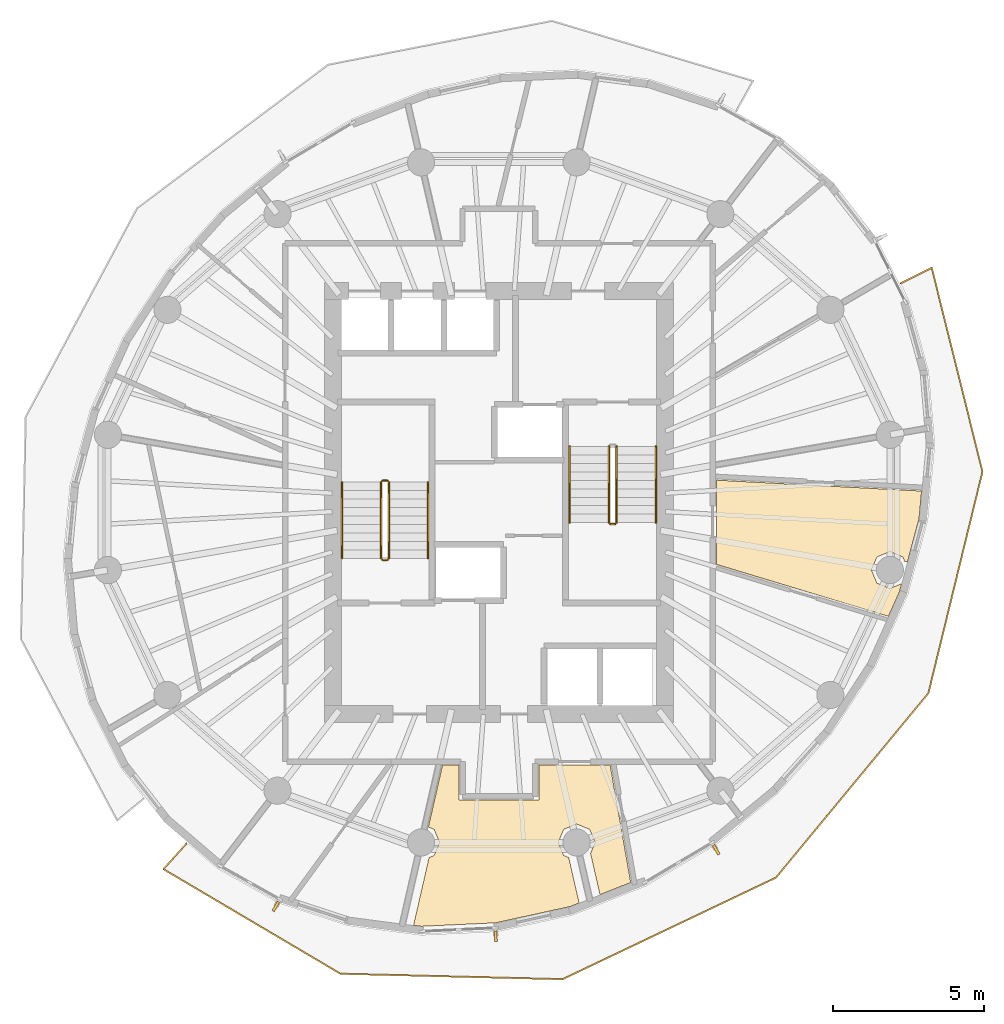
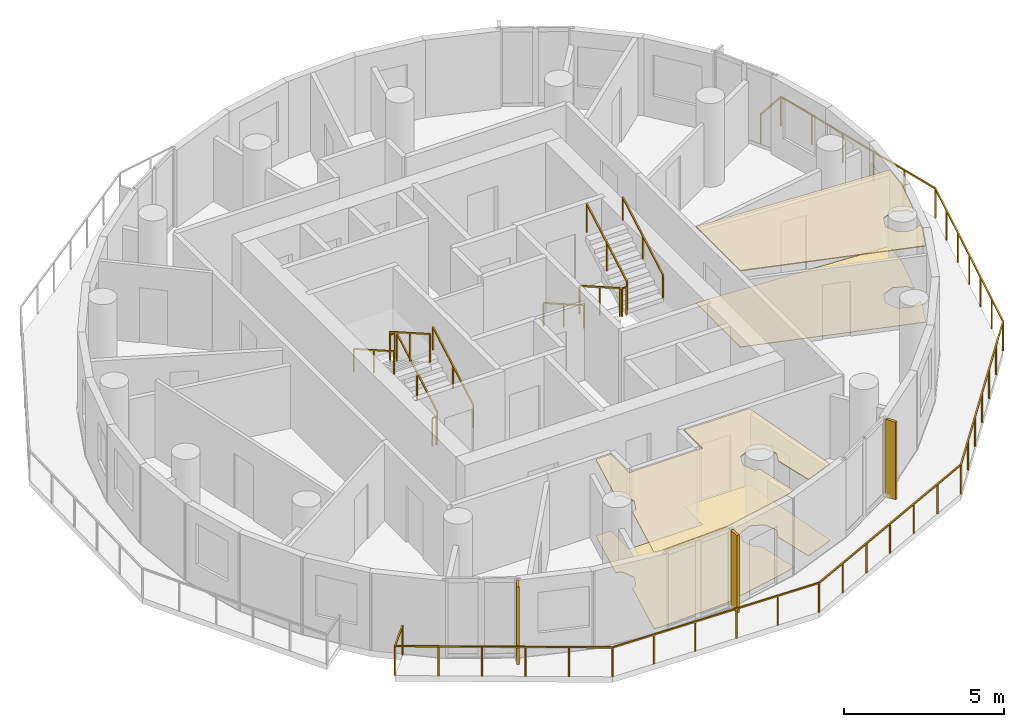
# One storey, part 8 of 10: 12 railings, 4 coverings, 3 shading devices.
"""IFC4 building model written with IfcOpenShell, lengths in metres."""

from ifc_helpers import new_model, si_unit, direction, frame, origin, origin_2d, place, context, subcontext, project, spatial, polyline, rectangle, outline, extrude, material, layer, layer_set, type_object, element, save


model = new_model("IFC4")

# Units and contexts
model_context = context("Model", 3, precision=1e-05, world=origin(), true_north=direction((0.0, 1.0)))
body_context = subcontext(model_context, "Body", "Model", "MODEL_VIEW")
ifc_project = project(units=[si_unit("LENGTHUNIT", "METRE"), si_unit("AREAUNIT", "SQUARE_METRE"), si_unit("VOLUMEUNIT", "CUBIC_METRE"), si_unit("PLANEANGLEUNIT", "RADIAN"), si_unit("MASSUNIT", "GRAM", prefix="KILO")], contexts=[model_context])

# Site, building, storey
site_placement = place(None, origin())
site = spatial("IfcSite", under=ifc_project, at=site_placement, CompositionType="ELEMENT")
building_placement = place(site_placement, origin())
building = spatial("IfcBuilding", under=site, at=building_placement, Name="Veldorim Arch Residences", CompositionType="ELEMENT")
storey_placement = place(building_placement, frame((0.0, 0.0, 179.0400390625)))
storey = spatial("IfcBuildingStorey", under=building, at=storey_placement, Name="L53", CompositionType="ELEMENT", Elevation=179.0400390625)

# Railings
ifc_material_1 = material(Name="Aluminium", Category="aluminium")
railing_type_1 = type_object("IfcRailingType", Name="Balcony & Terrace Laminated Glass Balustrade 1150", PredefinedType="BALUSTRADE", material=ifc_material_1)
railing_1_placement = place(storey_placement, frame((21.658935546875, 12.711669921875, 0.0)))
element("IfcRailing", 1, at=railing_1_placement, inside=storey, type_object=railing_type_1, Name="L53 crescent balcony safety balustrade B", PredefinedType="BALUSTRADE", context=body_context, shape_type="SweptSolid", body=[
    extrude(rectangle(XDim=0.048095703125, YDim=0.048095703125, at=origin_2d()), frame((0.0, 0.0, 1.1259765625), z_axis=(-0.66808459796, -0.744085324388, 0.0), x_axis=(0.744085324388, -0.66808459796, 0.0)), (0.0, 0.0, 1.0), 1.14990234375),
    extrude(rectangle(XDim=0.048095703125, YDim=0.048095703125, at=origin_2d()), frame((-0.768310546875, -0.855712890625, 1.1259765625), z_axis=(0.860900116689, -0.508774005906, 0.0), x_axis=(0.508774005906, 0.860900116689, 0.0)), (0.0, 0.0, 1.0), 6.809326171875),
    extrude(rectangle(XDim=0.048095703125, YDim=0.048095703125, at=origin_2d()), frame((5.09375, -4.320068359375, 1.1259765625), z_axis=(0.999695984702, -0.024656402212, 0.0), x_axis=(0.024656402212, 0.999695984702, 0.0)), (0.0, 0.0, 1.0), 7.35693359375),
    extrude(rectangle(XDim=0.048095703125, YDim=0.048095703125, at=origin_2d()), frame((12.448486328125, -4.50146484375, 1.1259765625), z_axis=(0.902919863623, 0.42980893415, 0.0), x_axis=(-0.42980893415, 0.902919863623, 0.0)), (0.0, 0.0, 1.0), 7.831298828125),
    extrude(rectangle(XDim=0.048095703125, YDim=0.048095703125, at=origin_2d()), frame((19.51953125, -1.135498046875, 1.1259765625), z_axis=(0.637052723353, 0.770820230449, 0.0), x_axis=(-0.770820230449, 0.637052723353, 0.0)), (0.0, 0.0, 1.0), 7.919189453125),
    extrude(rectangle(XDim=0.048095703125, YDim=0.048095703125, at=origin_2d()), frame((24.564453125, 4.96875, 1.1259765625), z_axis=(0.237118344411, 0.971480772195, 0.0), x_axis=(-0.971480772195, 0.237118344411, 0.0)), (0.0, 0.0, 1.0), 7.555419921875),
    extrude(rectangle(XDim=0.048095703125, YDim=0.048095703125, at=origin_2d()), frame((26.35595703125, 12.30859375, 1.1259765625), z_axis=(-0.241635413505, 0.970367109367, 0.0), x_axis=(-0.970367109367, -0.241635413505, 0.0)), (0.0, 0.0, 1.0), 6.956298828125),
    extrude(rectangle(XDim=0.048095703125, YDim=0.048095703125, at=origin_2d()), frame((24.675048828125, 19.058837890625, 1.1259765625), z_axis=(-0.895105555881, -0.445854285424, 0.0), x_axis=(0.445854285424, -0.895105555881, 0.0)), (0.0, 0.0, 1.0), 1.14990234375),
    extrude(rectangle(XDim=0.0419921875, YDim=0.0419921875, at=origin_2d()), origin(), (0.0, 0.0, 1.0), 1.101806640625),
    extrude(rectangle(XDim=0.0419921875, YDim=0.0419921875, at=origin_2d()), frame((-0.768310546875, -0.855712890625, 0.0)), (0.0, 0.0, 1.0), 1.101806640625),
    extrude(rectangle(XDim=0.0419921875, YDim=0.0419921875, at=origin_2d()), frame((0.404052734375, -1.548583984375, 0.0)), (0.0, 0.0, 1.0), 1.101806640625),
    extrude(rectangle(XDim=0.0419921875, YDim=0.0419921875, at=origin_2d()), frame((1.576416015625, -2.241455078125, 0.0)), (0.0, 0.0, 1.0), 1.101806640625),
    extrude(rectangle(XDim=0.0419921875, YDim=0.0419921875, at=origin_2d()), frame((2.7490234375, -2.934326171875, 0.0)), (0.0, 0.0, 1.0), 1.101806640625),
    extrude(rectangle(XDim=0.0419921875, YDim=0.0419921875, at=origin_2d()), frame((3.92138671875, -3.627197265625, 0.0)), (0.0, 0.0, 1.0), 1.101806640625),
    extrude(rectangle(XDim=0.0419921875, YDim=0.0419921875, at=origin_2d()), frame((5.09375, -4.320068359375, 0.0)), (0.0, 0.0, 1.0), 1.101806640625),
    extrude(rectangle(XDim=0.0419921875, YDim=0.0419921875, at=origin_2d()), frame((6.564697265625, -4.3564453125, 0.0)), (0.0, 0.0, 1.0), 1.101806640625),
    extrude(rectangle(XDim=0.0419921875, YDim=0.0419921875, at=origin_2d()), frame((8.03564453125, -4.392578125, 0.0)), (0.0, 0.0, 1.0), 1.101806640625),
    extrude(rectangle(XDim=0.0419921875, YDim=0.0419921875, at=origin_2d()), frame((9.506591796875, -4.428955078125, 0.0)), (0.0, 0.0, 1.0), 1.101806640625),
    extrude(rectangle(XDim=0.0419921875, YDim=0.0419921875, at=origin_2d()), frame((10.9775390625, -4.465087890625, 0.0)), (0.0, 0.0, 1.0), 1.101806640625),
    extrude(rectangle(XDim=0.0419921875, YDim=0.0419921875, at=origin_2d()), frame((12.448486328125, -4.50146484375, 0.0)), (0.0, 0.0, 1.0), 1.101806640625),
    extrude(rectangle(XDim=0.0419921875, YDim=0.0419921875, at=origin_2d()), frame((13.626953125, -3.9404296875, 0.0)), (0.0, 0.0, 1.0), 1.101806640625),
    extrude(rectangle(XDim=0.0419921875, YDim=0.0419921875, at=origin_2d()), frame((14.805419921875, -3.37939453125, 0.0)), (0.0, 0.0, 1.0), 1.101806640625),
    extrude(rectangle(XDim=0.0419921875, YDim=0.0419921875, at=origin_2d()), frame((15.98388671875, -2.818359375, 0.0)), (0.0, 0.0, 1.0), 1.101806640625),
    extrude(rectangle(XDim=0.0419921875, YDim=0.0419921875, at=origin_2d()), frame((17.16259765625, -2.257568359375, 0.0)), (0.0, 0.0, 1.0), 1.101806640625),
    extrude(rectangle(XDim=0.0419921875, YDim=0.0419921875, at=origin_2d()), frame((18.341064453125, -1.696533203125, 0.0)), (0.0, 0.0, 1.0), 1.101806640625),
    extrude(rectangle(XDim=0.0419921875, YDim=0.0419921875, at=origin_2d()), frame((19.51953125, -1.135498046875, 0.0)), (0.0, 0.0, 1.0), 1.101806640625),
    extrude(rectangle(XDim=0.0419921875, YDim=0.0419921875, at=origin_2d()), frame((20.3603515625, -0.1181640625, 0.0)), (0.0, 0.0, 1.0), 1.101806640625),
    extrude(rectangle(XDim=0.0419921875, YDim=0.0419921875, at=origin_2d()), frame((21.201171875, 0.899169921875, 0.0)), (0.0, 0.0, 1.0), 1.101806640625),
    extrude(rectangle(XDim=0.0419921875, YDim=0.0419921875, at=origin_2d()), frame((22.0419921875, 1.91650390625, 0.0)), (0.0, 0.0, 1.0), 1.101806640625),
    extrude(rectangle(XDim=0.0419921875, YDim=0.0419921875, at=origin_2d()), frame((22.8828125, 2.93408203125, 0.0)), (0.0, 0.0, 1.0), 1.101806640625),
    extrude(rectangle(XDim=0.0419921875, YDim=0.0419921875, at=origin_2d()), frame((23.7236328125, 3.951416015625, 0.0)), (0.0, 0.0, 1.0), 1.101806640625),
    extrude(rectangle(XDim=0.0419921875, YDim=0.0419921875, at=origin_2d()), frame((24.564453125, 4.96875, 0.0)), (0.0, 0.0, 1.0), 1.101806640625),
    extrude(rectangle(XDim=0.0419921875, YDim=0.0419921875, at=origin_2d()), frame((24.863037109375, 6.192138671875, 0.0)), (0.0, 0.0, 1.0), 1.101806640625),
    extrude(rectangle(XDim=0.0419921875, YDim=0.0419921875, at=origin_2d()), frame((25.16162109375, 7.415283203125, 0.0)), (0.0, 0.0, 1.0), 1.101806640625),
    extrude(rectangle(XDim=0.0419921875, YDim=0.0419921875, at=origin_2d()), frame((25.460205078125, 8.638671875, 0.0)), (0.0, 0.0, 1.0), 1.101806640625),
    extrude(rectangle(XDim=0.0419921875, YDim=0.0419921875, at=origin_2d()), frame((25.7587890625, 9.862060546875, 0.0)), (0.0, 0.0, 1.0), 1.101806640625),
    extrude(rectangle(XDim=0.0419921875, YDim=0.0419921875, at=origin_2d()), frame((26.057373046875, 11.085205078125, 0.0)), (0.0, 0.0, 1.0), 1.101806640625),
    extrude(rectangle(XDim=0.0419921875, YDim=0.0419921875, at=origin_2d()), frame((26.35595703125, 12.30859375, 0.0)), (0.0, 0.0, 1.0), 1.101806640625),
    extrude(rectangle(XDim=0.0419921875, YDim=0.0419921875, at=origin_2d()), frame((26.019775390625, 13.65869140625, 0.0)), (0.0, 0.0, 1.0), 1.101806640625),
    extrude(rectangle(XDim=0.0419921875, YDim=0.0419921875, at=origin_2d()), frame((25.68359375, 15.0087890625, 0.0)), (0.0, 0.0, 1.0), 1.101806640625),
    extrude(rectangle(XDim=0.0419921875, YDim=0.0419921875, at=origin_2d()), frame((25.347412109375, 16.358642578125, 0.0)), (0.0, 0.0, 1.0), 1.101806640625),
    extrude(rectangle(XDim=0.0419921875, YDim=0.0419921875, at=origin_2d()), frame((25.01123046875, 17.708740234375, 0.0)), (0.0, 0.0, 1.0), 1.101806640625),
    extrude(rectangle(XDim=0.0419921875, YDim=0.0419921875, at=origin_2d()), frame((24.675048828125, 19.058837890625, 0.0)), (0.0, 0.0, 1.0), 1.101806640625),
    extrude(rectangle(XDim=0.0419921875, YDim=0.0419921875, at=origin_2d()), frame((23.645751953125, 18.546142578125, 0.0)), (0.0, 0.0, 1.0), 1.101806640625),
])
ifc_material_2 = material(Name="Steel S355", Category="steel")
railing_type_2 = type_object("IfcRailingType", Name="Galvanised Steel Stair Safety Guardrail 1100", PredefinedType="GUARDRAIL", material=ifc_material_2)
railing_2_placement = place(storey_placement, frame((28.360107421875, 22.14990234375, 0.159912109375)))
element("IfcRailing", 2, at=railing_2_placement, inside=storey, type_object=railing_type_2, Name="L53 ST-1 stair guard 1", PredefinedType="GUARDRAIL", context=body_context, shape_type="SweptSolid", body=[
    extrude(rectangle(XDim=0.048095703125, YDim=0.048095703125, at=origin_2d()), frame((0.0, 0.0, 1.076171875), z_axis=(0.0, 0.868253494771, 0.496120820787), x_axis=(-1.0, 0.0, 0.0)), (0.0, 0.0, 1.0), 2.90234375),
    extrude(rectangle(XDim=0.0419921875, YDim=0.0419921875, at=origin_2d()), origin(), (0.0, 0.0, 1.0), 1.052001953125),
    extrude(rectangle(XDim=0.0419921875, YDim=0.0419921875, at=origin_2d()), frame((0.0, 1.260009765625, 0.719970703125)), (0.0, 0.0, 1.0), 1.052001953125),
    extrude(rectangle(XDim=0.0419921875, YDim=0.0419921875, at=origin_2d()), frame((0.0, 2.52001953125, 1.43994140625)), (0.0, 0.0, 1.0), 1.052001953125),
])
railing_3_placement = place(storey_placement, frame((28.31005859375, 24.719970703125, 1.599853515625)))
element("IfcRailing", 3, at=railing_3_placement, inside=storey, type_object=railing_type_2, Name="L53 ST-1 stair guard 2", PredefinedType="GUARDRAIL", context=body_context, shape_type="SweptSolid", body=[
    extrude(rectangle(XDim=0.048095703125, YDim=0.048095703125, at=origin_2d()), frame((0.0, 0.0, 1.076171875), z_axis=(-1.0, 0.0, 0.0), x_axis=(0.0, -1.0, 0.0)), (0.0, 0.0, 1.0), 0.16015625),
    extrude(rectangle(XDim=0.0419921875, YDim=0.0419921875, at=origin_2d()), origin(), (0.0, 0.0, 1.0), 1.052001953125),
    extrude(rectangle(XDim=0.0419921875, YDim=0.0419921875, at=origin_2d()), frame((-0.16015625, 0.0, 0.0)), (0.0, 0.0, 1.0), 1.052001953125),
])
railing_4_placement = place(storey_placement, frame((28.10009765625, 24.669921875, 1.760009765625)))
element("IfcRailing", 4, at=railing_4_placement, inside=storey, type_object=railing_type_2, Name="L53 ST-1 stair guard 3", PredefinedType="GUARDRAIL", context=body_context, shape_type="SweptSolid", body=[
    extrude(rectangle(XDim=0.048095703125, YDim=0.048095703125, at=origin_2d()), frame((0.0, 0.0, 1.076171875), z_axis=(0.0, -0.868253494771, 0.496120820787), x_axis=(1.0, 0.0, 0.0)), (0.0, 0.0, 1.0), 2.90234375),
    extrude(rectangle(XDim=0.0419921875, YDim=0.0419921875, at=origin_2d()), origin(), (0.0, 0.0, 1.0), 1.052001953125),
    extrude(rectangle(XDim=0.0419921875, YDim=0.0419921875, at=origin_2d()), frame((0.0, -1.260009765625, 0.719970703125)), (0.0, 0.0, 1.0), 1.052001953125),
    extrude(rectangle(XDim=0.0419921875, YDim=0.0419921875, at=origin_2d()), frame((0.0, -2.52001953125, 1.43994140625)), (0.0, 0.0, 1.0), 1.052001953125),
])
railing_5_placement = place(storey_placement, frame((28.31005859375, 22.10009765625, 0.0)))
element("IfcRailing", 5, at=railing_5_placement, inside=storey, type_object=railing_type_2, Name="L53 ST-1 stair guard 4", PredefinedType="GUARDRAIL", context=body_context, shape_type="SweptSolid", body=[
    extrude(rectangle(XDim=0.048095703125, YDim=0.048095703125, at=origin_2d()), frame((0.0, 0.0, 1.076171875), z_axis=(-1.0, 0.0, 0.0), x_axis=(0.0, -1.0, 0.0)), (0.0, 0.0, 1.0), 0.16015625),
    extrude(rectangle(XDim=0.0419921875, YDim=0.0419921875, at=origin_2d()), origin(), (0.0, 0.0, 1.0), 1.052001953125),
    extrude(rectangle(XDim=0.0419921875, YDim=0.0419921875, at=origin_2d()), frame((-0.16015625, 0.0, 0.0)), (0.0, 0.0, 1.0), 1.052001953125),
])
railing_6_placement = place(storey_placement, frame((35.639892578125, 25.85009765625, 0.159912109375)))
element("IfcRailing", 6, at=railing_6_placement, inside=storey, type_object=railing_type_2, Name="L53 ST-2 stair guard 1", PredefinedType="GUARDRAIL", context=body_context, shape_type="SweptSolid", body=[
    extrude(rectangle(XDim=0.048095703125, YDim=0.048095703125, at=origin_2d()), frame((0.0, 0.0, 1.076171875), z_axis=(0.0, -0.868253494771, 0.496120820787), x_axis=(1.0, 0.0, 0.0)), (0.0, 0.0, 1.0), 2.90234375),
    extrude(rectangle(XDim=0.0419921875, YDim=0.0419921875, at=origin_2d()), origin(), (0.0, 0.0, 1.0), 1.052001953125),
    extrude(rectangle(XDim=0.0419921875, YDim=0.0419921875, at=origin_2d()), frame((0.0, -1.260009765625, 0.719970703125)), (0.0, 0.0, 1.0), 1.052001953125),
    extrude(rectangle(XDim=0.0419921875, YDim=0.0419921875, at=origin_2d()), frame((0.0, -2.52001953125, 1.43994140625)), (0.0, 0.0, 1.0), 1.052001953125),
])
railing_7_placement = place(storey_placement, frame((35.68994140625, 23.280029296875, 1.599853515625)))
element("IfcRailing", 7, at=railing_7_placement, inside=storey, type_object=railing_type_2, Name="L53 ST-2 stair guard 2", PredefinedType="GUARDRAIL", context=body_context, shape_type="SweptSolid", body=[
    extrude(rectangle(XDim=0.048095703125, YDim=0.048095703125, at=origin_2d()), frame((0.0, 0.0, 1.076171875), z_axis=(1.0, 0.0, 0.0), x_axis=(0.0, 1.0, 0.0)), (0.0, 0.0, 1.0), 0.16015625),
    extrude(rectangle(XDim=0.0419921875, YDim=0.0419921875, at=origin_2d()), origin(), (0.0, 0.0, 1.0), 1.052001953125),
    extrude(rectangle(XDim=0.0419921875, YDim=0.0419921875, at=origin_2d()), frame((0.16015625, 0.0, 0.0)), (0.0, 0.0, 1.0), 1.052001953125),
])
railing_8_placement = place(storey_placement, frame((35.89990234375, 23.330078125, 1.760009765625)))
element("IfcRailing", 8, at=railing_8_placement, inside=storey, type_object=railing_type_2, Name="L53 ST-2 stair guard 3", PredefinedType="GUARDRAIL", context=body_context, shape_type="SweptSolid", body=[
    extrude(rectangle(XDim=0.048095703125, YDim=0.048095703125, at=origin_2d()), frame((0.0, 0.0, 1.076171875), z_axis=(0.0, 0.868253494771, 0.496120820787), x_axis=(-1.0, 0.0, 0.0)), (0.0, 0.0, 1.0), 2.90234375),
    extrude(rectangle(XDim=0.0419921875, YDim=0.0419921875, at=origin_2d()), origin(), (0.0, 0.0, 1.0), 1.052001953125),
    extrude(rectangle(XDim=0.0419921875, YDim=0.0419921875, at=origin_2d()), frame((0.0, 1.260009765625, 0.719970703125)), (0.0, 0.0, 1.0), 1.052001953125),
    extrude(rectangle(XDim=0.0419921875, YDim=0.0419921875, at=origin_2d()), frame((0.0, 2.52001953125, 1.43994140625)), (0.0, 0.0, 1.0), 1.052001953125),
])

# Coverings
ifc_material_3 = material(Name="Acoustic Gypsum & Mineral Fibre", Category="gypsum")
ifc_layer_1 = layer(ifc_material_3, 0.034912109375, Name="Perforated Acoustic Mineral-Fibre Ceiling 35")
ifc_layer_set_1 = layer_set([ifc_layer_1], Name="Acoustic Gypsum & Mineral Fibre")
covering_type_1 = type_object("IfcCoveringType", Name="Perforated Acoustic Mineral-Fibre Ceiling 35", PredefinedType="CEILING", material=ifc_layer_set_1)
covering_1_placement = place(storey_placement, frame((0.0, 0.0, 2.905029296875)))
element("IfcCovering", 9, at=covering_1_placement, inside=storey, type_object=covering_type_1, Name="L53 acoustic suspended ceiling 01", PredefinedType="CEILING", context=body_context, shape_type="SweptSolid", body=[
    extrude(outline(polyline([(35.18505859375, 12.740478515625), (35.006591796875, 13.171875), (34.5751953125, 13.3505859375), (34.143798828125, 13.171875), (33.96533203125, 12.740478515625), (34.143798828125, 12.309326171875), (34.312744140625, 12.239501953125), (34.65625, 10.73779296875), (34.350830078125, 10.61669921875), (31.89111328125, 10.078369140625), (29.4365234375, 9.963623046875), (29.174560546875, 9.998046875), (29.687255859375, 12.239501953125), (29.856201171875, 12.309326171875), (30.03466796875, 12.740478515625), (29.856201171875, 13.171875), (29.664794921875, 13.251220703125), (30.13330078125, 15.300048828125), (30.679931640625, 15.300048828125), (30.679931640625, 14.14990234375), (33.320068359375, 14.14990234375), (33.320068359375, 15.300048828125), (35.684326171875, 15.300048828125), (36.365234375, 11.414794921875), (35.34765625, 11.01171875), (35.034912109375, 12.37841796875), (35.18505859375, 12.740478515625)])), origin(), (0.0, 0.0, 1.0), 0.034912109375),
])
covering_2_placement = place(storey_placement, frame((0.0, 0.0, 2.905029296875)))
element("IfcCovering", 10, at=covering_2_placement, inside=storey, type_object=covering_type_1, Name="L53 acoustic suspended ceiling 02", PredefinedType="CEILING", context=body_context, shape_type="SweptSolid", body=[
    extrude(outline(polyline([(45.2607421875, 21.035400390625), (44.897216796875, 20.228271484375), (39.199951171875, 21.94970703125), (39.199951171875, 24.737060546875), (45.99658203125, 24.376708984375), (45.912109375, 23.467529296875), (45.52783203125, 22.03271484375), (45.43701171875, 22.048583984375), (45.377685546875, 22.191650390625), (44.9462890625, 22.370361328125), (44.51513671875, 22.191650390625), (44.33642578125, 21.760498046875), (44.51513671875, 21.3291015625), (44.9462890625, 21.150390625), (45.334716796875, 21.311279296875), (45.2607421875, 21.035400390625)])), origin(), (0.0, 0.0, 1.0), 0.034912109375),
])
ifc_material_4 = material(Name="Porcelain Ceramic Tile", Category="ceramic")
ifc_layer_2 = layer(ifc_material_4, 0.02001953125, Name="Slip-Resistant Porcelain & Vinyl Floor Finish 20")
ifc_layer_set_2 = layer_set([ifc_layer_2], Name="Porcelain Ceramic Tile")
covering_type_2 = type_object("IfcCoveringType", Name="Slip-Resistant Porcelain & Vinyl Floor Finish 20", PredefinedType="FLOORING", material=ifc_layer_set_2)
covering_3_placement = place(storey_placement, origin())
element("IfcCovering", 11, at=covering_3_placement, inside=storey, type_object=covering_type_2, Name="L53 porcelain floor finish 01", PredefinedType="FLOORING", context=body_context, shape_type="SweptSolid", body=[
    extrude(outline(polyline([(35.18505859375, 12.740478515625), (35.006591796875, 13.171875), (34.5751953125, 13.3505859375), (34.143798828125, 13.171875), (33.96533203125, 12.740478515625), (34.143798828125, 12.309326171875), (34.312744140625, 12.239501953125), (34.65625, 10.73779296875), (34.350830078125, 10.61669921875), (31.89111328125, 10.078369140625), (29.4365234375, 9.963623046875), (29.174560546875, 9.998046875), (29.687255859375, 12.239501953125), (29.856201171875, 12.309326171875), (30.03466796875, 12.740478515625), (29.856201171875, 13.171875), (29.664794921875, 13.251220703125), (30.13330078125, 15.300048828125), (30.679931640625, 15.300048828125), (30.679931640625, 14.14990234375), (33.320068359375, 14.14990234375), (33.320068359375, 15.300048828125), (35.684326171875, 15.300048828125), (36.365234375, 11.414794921875), (35.34765625, 11.01171875), (35.034912109375, 12.37841796875), (35.18505859375, 12.740478515625)])), origin(), (0.0, 0.0, 1.0), 0.02001953125),
])
covering_4_placement = place(storey_placement, origin())
element("IfcCovering", 12, at=covering_4_placement, inside=storey, type_object=covering_type_2, Name="L53 porcelain floor finish 02", PredefinedType="FLOORING", context=body_context, shape_type="SweptSolid", body=[
    extrude(outline(polyline([(45.2607421875, 21.035400390625), (44.897216796875, 20.228271484375), (39.199951171875, 21.94970703125), (39.199951171875, 24.737060546875), (45.99658203125, 24.376708984375), (45.912109375, 23.467529296875), (45.52783203125, 22.03271484375), (45.43701171875, 22.048583984375), (45.377685546875, 22.191650390625), (44.9462890625, 22.370361328125), (44.51513671875, 22.191650390625), (44.33642578125, 21.760498046875), (44.51513671875, 21.3291015625), (44.9462890625, 21.150390625), (45.334716796875, 21.311279296875), (45.2607421875, 21.035400390625)])), origin(), (0.0, 0.0, 1.0), 0.02001953125),
])

# Railings
ifc_material_5 = material(Name="Stainless Steel", Category="steel")
railing_type_3 = type_object("IfcRailingType", Name="Tubular Steel Continuous Wall Handrail 900", PredefinedType="HANDRAIL", material=ifc_material_5)
railing_9_placement = place(storey_placement, frame((29.659912109375, 22.14990234375, 0.159912109375)))
element("IfcRailing", 13, at=railing_9_placement, inside=storey, type_object=railing_type_3, Name="L53 ST-1 stair handrail 1", PredefinedType="HANDRAIL", context=body_context, shape_type="SweptSolid", body=[
    extrude(rectangle(XDim=0.048095703125, YDim=0.048095703125, at=origin_2d()), frame((0.0, 0.0, 0.8759765625), z_axis=(0.0, 0.868253494771, 0.496120820787), x_axis=(-1.0, 0.0, 0.0)), (0.0, 0.0, 1.0), 2.90234375),
    extrude(rectangle(XDim=0.0419921875, YDim=0.0419921875, at=origin_2d()), origin(), (0.0, 0.0, 1.0), 0.851806640625),
    extrude(rectangle(XDim=0.0419921875, YDim=0.0419921875, at=origin_2d()), frame((0.0, 1.260009765625, 0.719970703125)), (0.0, 0.0, 1.0), 0.851806640625),
    extrude(rectangle(XDim=0.0419921875, YDim=0.0419921875, at=origin_2d()), frame((0.0, 2.52001953125, 1.43994140625)), (0.0, 0.0, 1.0), 0.851806640625),
])
for number, where, name in (
    (14, (26.800048828125, 24.669921875, 1.760009765625), "L53 ST-1 stair handrail 2"),
    (15, (34.340087890625, 25.85009765625, 0.159912109375), "L53 ST-2 stair handrail 1"),
):
    element("IfcRailing", number, at=place(storey_placement, frame(where)), inside=storey, type_object=railing_type_3, Name=name, PredefinedType="HANDRAIL", context=body_context, shape_type="SweptSolid", body=[
        extrude(rectangle(XDim=0.048095703125, YDim=0.048095703125, at=origin_2d()), frame((0.0, 0.0, 0.8759765625), z_axis=(0.0, -0.868253494771, 0.496120820787), x_axis=(1.0, 0.0, 0.0)), (0.0, 0.0, 1.0), 2.90234375),
        extrude(rectangle(XDim=0.0419921875, YDim=0.0419921875, at=origin_2d()), origin(), (0.0, 0.0, 1.0), 0.851806640625),
        extrude(rectangle(XDim=0.0419921875, YDim=0.0419921875, at=origin_2d()), frame((0.0, -1.260009765625, 0.719970703125)), (0.0, 0.0, 1.0), 0.851806640625),
        extrude(rectangle(XDim=0.0419921875, YDim=0.0419921875, at=origin_2d()), frame((0.0, -2.52001953125, 1.43994140625)), (0.0, 0.0, 1.0), 0.851806640625),
    ])
railing_10_placement = place(storey_placement, frame((37.199951171875, 23.330078125, 1.760009765625)))
element("IfcRailing", 16, at=railing_10_placement, inside=storey, type_object=railing_type_3, Name="L53 ST-2 stair handrail 2", PredefinedType="HANDRAIL", context=body_context, shape_type="SweptSolid", body=[
    extrude(rectangle(XDim=0.048095703125, YDim=0.048095703125, at=origin_2d()), frame((0.0, 0.0, 0.8759765625), z_axis=(0.0, 0.868253494771, 0.496120820787), x_axis=(-1.0, 0.0, 0.0)), (0.0, 0.0, 1.0), 2.90234375),
    extrude(rectangle(XDim=0.0419921875, YDim=0.0419921875, at=origin_2d()), origin(), (0.0, 0.0, 1.0), 0.851806640625),
    extrude(rectangle(XDim=0.0419921875, YDim=0.0419921875, at=origin_2d()), frame((0.0, 1.260009765625, 0.719970703125)), (0.0, 0.0, 1.0), 0.851806640625),
    extrude(rectangle(XDim=0.0419921875, YDim=0.0419921875, at=origin_2d()), frame((0.0, 2.52001953125, 1.43994140625)), (0.0, 0.0, 1.0), 0.851806640625),
])

# Shading devices
ifc_material_6 = material(Name="Terracotta Ceramic", Category="masonry")
ifc_layer_3 = layer(ifc_material_6, 0.090087890625, Name="Vertical Extruded Terracotta Baguette Sun-Shading Fin")
ifc_layer_set_3 = layer_set([ifc_layer_3], Name="Terracotta Ceramic")
shading_device_type = type_object("IfcShadingDeviceType", Name="Vertical Extruded Terracotta Baguette Sun-Shading Fin", PredefinedType="USERDEFINED", material=ifc_layer_set_3)
for number, where, z_axis, x_axis, name in (
    (17, (24.61328125, 10.621826171875, 0.0), (0.0, 0.0, 1.0), (-0.873007211547, 0.487707298065, 0.0), "L53 vertical terracotta sun-shading fin 20"),
    (18, (31.896240234375, 9.635498046875, 0.0), (0.0, 0.0, 1.0), (-0.998906257359, -0.046757769503, 0.0), "L53 vertical terracotta sun-shading fin 23"),
    (19, (39.196044921875, 12.499755859375, 0.0), (0.0, 0.0, 1.0), (-0.861097195167, -0.508440380454, 0.0), "L53 vertical terracotta sun-shading fin 26"),
):
    element("IfcShadingDevice", number, at=place(storey_placement, frame(where, z_axis=z_axis, x_axis=x_axis)), inside=storey, type_object=shading_device_type, Name=name, ObjectType="FIN", PredefinedType="USERDEFINED", context=body_context, shape_type="SweptSolid", body=[
        extrude(rectangle(XDim=0.090087890625, YDim=0.360107421875, at=origin_2d()), origin(), (0.0, 0.0, 1.0), 2.9599609375),
    ])

save(model, "model.ifc")
